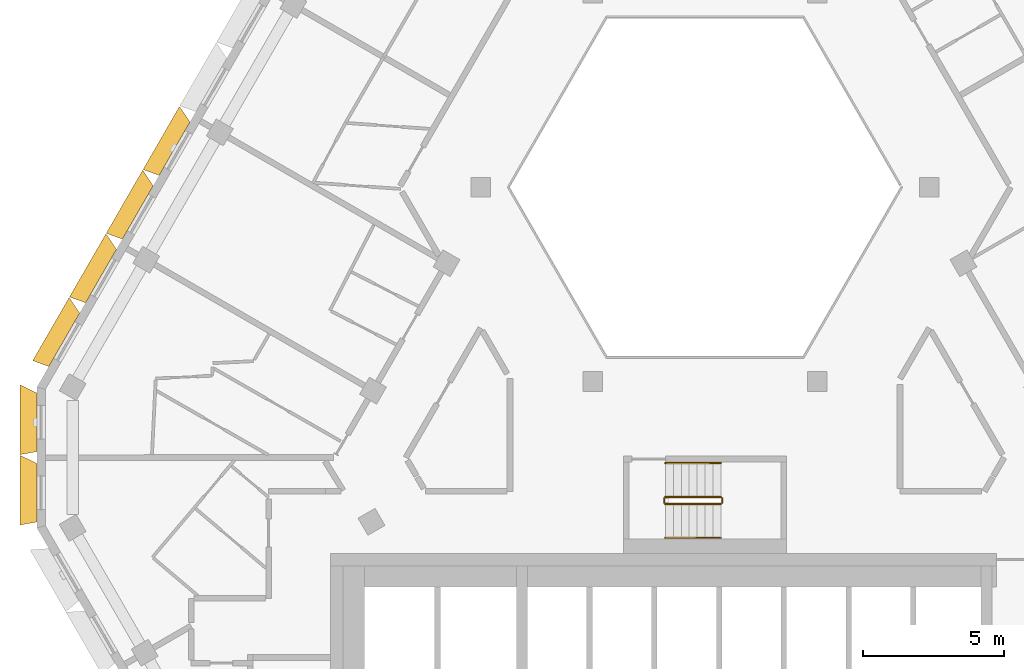
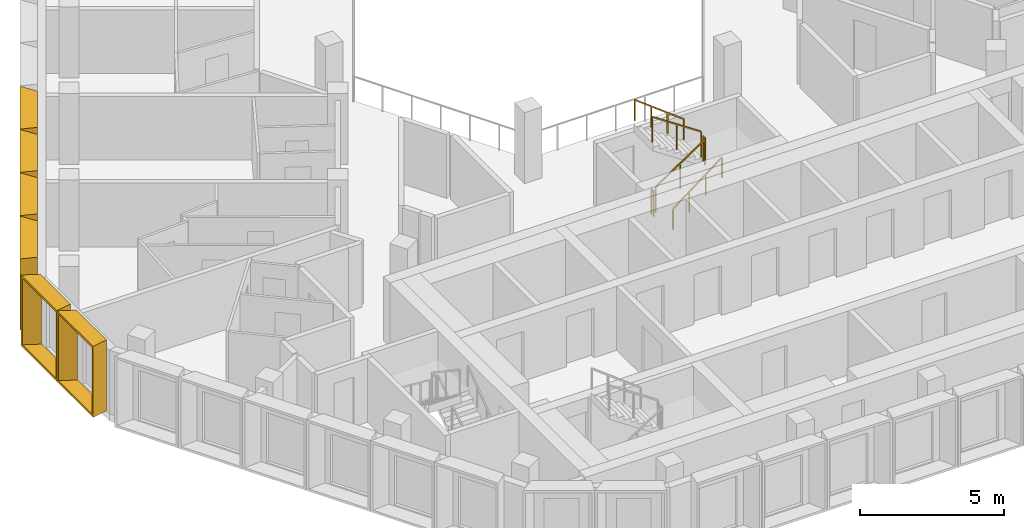
# One storey, part 13 of 16: 6 railings, 6 shading devices.
"""IFC4 building model written with IfcOpenShell, lengths in metres."""

from ifc_helpers import new_model, entity, si_unit, direction, frame, origin, origin_2d, place, context, subcontext, project, spatial, rectangle, extrude, source, transform, mapped, material, type_object, type_shapes, element, save


model = new_model("IFC4")

# Units and contexts
model_context = context("Model", 3, precision=1e-05, world=origin(), true_north=direction((0.0, 1.0)))
body_context = subcontext(model_context, "Body", "Model", "MODEL_VIEW")
ifc_project = project(units=[si_unit("LENGTHUNIT", "METRE"), si_unit("AREAUNIT", "SQUARE_METRE"), si_unit("VOLUMEUNIT", "CUBIC_METRE"), si_unit("PLANEANGLEUNIT", "RADIAN"), si_unit("MASSUNIT", "GRAM", prefix="KILO")], contexts=[model_context])

# Site, building, storey
site_placement = place(None, origin())
site = spatial("IfcSite", under=ifc_project, at=site_placement, CompositionType="ELEMENT")
building_placement = place(site_placement, origin())
building = spatial("IfcBuilding", under=site, at=building_placement, Name="Beryl Residences", CompositionType="ELEMENT")
storey_placement = place(building_placement, frame((0.0, 0.0, 208.800048828125)))
storey = spatial("IfcBuildingStorey", under=building, at=storey_placement, Name="L64", CompositionType="ELEMENT", Elevation=208.800048828125)

# Shading devices
ifc_material_1 = material(Name="Aluminium pale anodised", Category="aluminium")
shading_device_type_1 = type_object("IfcShadingDeviceType", Name="FR250-60B OUTER SKIN frame 600 mm deep, splay 26/10 deg, 2500 x 3000 mm cell", PredefinedType="USERDEFINED", material=ifc_material_1)
cartesian_point_1 = entity("IfcCartesianPoint", [-1.04052734375, 0.0])
cartesian_point_2 = entity("IfcCartesianPoint", [-0.951416015625, 0.10009765625])
cartesian_point_3 = entity("IfcCartesianPoint", [-1.333251953125, 0.0])
cartesian_point_4 = entity("IfcCartesianPoint", [-1.244140625, 0.10009765625])
shared_shape_1 = source(origin(), body_context, "Body", "SweptSolid", [
    entity("IfcExtrudedAreaSolidTapered", entity("IfcArbitraryProfileDefWithVoids", "AREA", None, entity("IfcPolyline", [cartesian_point_1, entity("IfcCartesianPoint", [1.04052734375, 0.0]), entity("IfcCartesianPoint", [1.04052734375, 3.0]), entity("IfcCartesianPoint", [-1.04052734375, 3.0]), cartesian_point_1]), [entity("IfcPolyline", [cartesian_point_2, entity("IfcCartesianPoint", [0.959228515625, 0.10009765625]), entity("IfcCartesianPoint", [0.959228515625, 2.89990234375]), entity("IfcCartesianPoint", [-0.951416015625, 2.89990234375]), cartesian_point_2])]), entity("IfcAxis2Placement3D", entity("IfcCartesianPoint", [0.0, 0.0, 0.0]), entity("IfcDirection", [0.0, 1.0, 0.0]), entity("IfcDirection", [-1.0, 0.0, 0.0])), entity("IfcDirection", [0.0, 0.0, 1.0]), 0.60009765625, entity("IfcArbitraryProfileDefWithVoids", "AREA", None, entity("IfcPolyline", [cartesian_point_3, entity("IfcCartesianPoint", [1.146240234375, 0.0]), entity("IfcCartesianPoint", [1.146240234375, 3.0]), entity("IfcCartesianPoint", [-1.333251953125, 3.0]), cartesian_point_3]), [entity("IfcPolyline", [cartesian_point_4, entity("IfcCartesianPoint", [1.06494140625, 0.10009765625]), entity("IfcCartesianPoint", [1.06494140625, 2.89990234375]), entity("IfcCartesianPoint", [-1.244140625, 2.89990234375]), cartesian_point_4])])),
])
type_shapes(shading_device_type_1, [shared_shape_1])
for number, where, z_axis, x_axis, name in (
    (1, (-23.72900390625, -0.35009765625, 0.0), (0.0, 0.0, 1.0), (0.0, 1.0, 0.0), "FR250-60B frame L64 NW-SW 1"),
    (2, (-23.72900390625, -2.85009765625, 0.0), (0.0, 0.0, 1.0), (0.0, 1.0, 0.0), "FR250-60B frame L64 NW-SW 2"),
):
    element("IfcShadingDevice", number, at=place(storey_placement, frame(where, z_axis=z_axis, x_axis=x_axis)), inside=storey, type_object=shading_device_type_1, Name=name, ObjectType="OUTER SKIN", PredefinedType="USERDEFINED", context=body_context, shape_type="MappedRepresentation", body=[
        mapped(shared_shape_1, transform((0.0, 0.0, 0.0))),
    ])
ifc_material_2 = material(Name="Aluminium pale anodised", Category="aluminium")
shading_device_type_2 = type_object("IfcShadingDeviceType", Name="FR261-60B OUTER SKIN frame 600 mm deep, splay 26/10 deg, 2610 x 3000 mm cell", PredefinedType="USERDEFINED", material=ifc_material_2)
cartesian_point_5 = entity("IfcCartesianPoint", [-1.095458984375, 0.0])
cartesian_point_6 = entity("IfcCartesianPoint", [-1.006591796875, 0.10009765625])
cartesian_point_7 = entity("IfcCartesianPoint", [-1.38818359375, 0.0])
cartesian_point_8 = entity("IfcCartesianPoint", [-1.299072265625, 0.10009765625])
shared_shape_2 = source(origin(), body_context, "Body", "SweptSolid", [
    entity("IfcExtrudedAreaSolidTapered", entity("IfcArbitraryProfileDefWithVoids", "AREA", None, entity("IfcPolyline", [cartesian_point_5, entity("IfcCartesianPoint", [1.095458984375, 0.0]), entity("IfcCartesianPoint", [1.095458984375, 3.0]), entity("IfcCartesianPoint", [-1.095458984375, 3.0]), cartesian_point_5]), [entity("IfcPolyline", [cartesian_point_6, entity("IfcCartesianPoint", [1.01416015625, 0.10009765625]), entity("IfcCartesianPoint", [1.01416015625, 2.89990234375]), entity("IfcCartesianPoint", [-1.006591796875, 2.89990234375]), cartesian_point_6])]), entity("IfcAxis2Placement3D", entity("IfcCartesianPoint", [0.0, 0.0, 0.0]), entity("IfcDirection", [0.0, 1.0, 0.0]), entity("IfcDirection", [-1.0, 0.0, 0.0])), entity("IfcDirection", [0.0, 0.0, 1.0]), 0.60009765625, entity("IfcArbitraryProfileDefWithVoids", "AREA", None, entity("IfcPolyline", [cartesian_point_7, entity("IfcCartesianPoint", [1.201416015625, 0.0]), entity("IfcCartesianPoint", [1.201416015625, 3.0]), entity("IfcCartesianPoint", [-1.38818359375, 3.0]), cartesian_point_7]), [entity("IfcPolyline", [cartesian_point_8, entity("IfcCartesianPoint", [1.1201171875, 0.10009765625]), entity("IfcCartesianPoint", [1.1201171875, 2.89990234375]), entity("IfcCartesianPoint", [-1.299072265625, 2.89990234375]), cartesian_point_8])])),
])
type_shapes(shading_device_type_2, [shared_shape_2])
for number, where, z_axis, x_axis, name in (
    (3, (-18.839111328125, 9.368896484375, 0.0), (0.0, 0.0, 1.0), (0.5, 0.866025403784, 0.0), "FR261-60B frame L64 NW 5"),
    (4, (-20.14501953125, 7.10595703125, 0.0), (0.0, 0.0, 1.0), (0.5, 0.866025403784, 0.0), "FR261-60B frame L64 NW 6"),
    (5, (-21.450927734375, 4.843994140625, 0.0), (0.0, 0.0, 1.0), (0.5, 0.866025403784, 0.0), "FR261-60B frame L64 NW 7"),
    (6, (-22.758056640625, 2.5810546875, 0.0), (0.0, 0.0, 1.0), (0.5, 0.866025403784, 0.0), "FR261-60B frame L64 NW 8"),
):
    element("IfcShadingDevice", number, at=place(storey_placement, frame(where, z_axis=z_axis, x_axis=x_axis)), inside=storey, type_object=shading_device_type_2, Name=name, ObjectType="OUTER SKIN", PredefinedType="USERDEFINED", context=body_context, shape_type="MappedRepresentation", body=[
        mapped(shared_shape_2, transform((0.0, 0.0, 0.0))),
    ])

# Railings
ifc_material_3 = material(Name="Stainless steel balustrade with glass infill", Category="steel")
railing_type_1 = type_object("IfcRailingType", Name="SG1 stair guard 1100 mm", PredefinedType="GUARDRAIL", material=ifc_material_3)
railing_1_placement = place(storey_placement, frame((-1.39990234375, -3.25, 0.1875)))
element("IfcRailing", 7, at=railing_1_placement, inside=storey, type_object=railing_type_1, Name="L64 ST-4 stair guard 1", PredefinedType="GUARDRAIL", context=body_context, shape_type="SweptSolid", body=[
    extrude(rectangle(XDim=0.048095703125, YDim=0.048095703125, at=origin_2d()), frame((0.0, 0.0, 1.076171875), z_axis=(0.830902050051, 0.0, 0.556418712142), x_axis=(0.0, 1.0, 0.0)), (0.0, 0.0, 1.0), 2.35888671875),
    extrude(rectangle(XDim=0.0419921875, YDim=0.0419921875, at=origin_2d()), origin(), (0.0, 0.0, 1.0), 1.052001953125),
    extrude(rectangle(XDim=0.0419921875, YDim=0.0419921875, at=origin_2d()), frame((0.97998046875, 0.0, 0.65625)), (0.0, 0.0, 1.0), 1.052001953125),
    extrude(rectangle(XDim=0.0419921875, YDim=0.0419921875, at=origin_2d()), frame((1.9599609375, 0.0, 1.3125)), (0.0, 0.0, 1.0), 1.052001953125),
])
railing_2_placement = place(storey_placement, frame((0.610107421875, -3.199951171875, 1.5)))
element("IfcRailing", 8, at=railing_2_placement, inside=storey, type_object=railing_type_1, Name="L64 ST-4 stair guard 2", PredefinedType="GUARDRAIL", context=body_context, shape_type="SweptSolid", body=[
    extrude(rectangle(XDim=0.048095703125, YDim=0.048095703125, at=origin_2d()), frame((0.0, 0.0, 1.076171875), z_axis=(0.0, 1.0, 0.0), x_axis=(-1.0, 0.0, 0.0)), (0.0, 0.0, 1.0), 0.14990234375),
    extrude(rectangle(XDim=0.0419921875, YDim=0.0419921875, at=origin_2d()), origin(), (0.0, 0.0, 1.0), 1.052001953125),
    extrude(rectangle(XDim=0.0419921875, YDim=0.0419921875, at=origin_2d()), frame((0.0, 0.14990234375, 0.0)), (0.0, 0.0, 1.0), 1.052001953125),
])
railing_3_placement = place(storey_placement, frame((0.56005859375, -3.0, 1.6875)))
element("IfcRailing", 9, at=railing_3_placement, inside=storey, type_object=railing_type_1, Name="L64 ST-4 stair guard 3", PredefinedType="GUARDRAIL", context=body_context, shape_type="SweptSolid", body=[
    extrude(rectangle(XDim=0.048095703125, YDim=0.048095703125, at=origin_2d()), frame((0.0, 0.0, 1.076171875), z_axis=(-0.830902050051, 0.0, 0.556418712142), x_axis=(0.0, -1.0, 0.0)), (0.0, 0.0, 1.0), 2.35888671875),
    extrude(rectangle(XDim=0.0419921875, YDim=0.0419921875, at=origin_2d()), origin(), (0.0, 0.0, 1.0), 1.052001953125),
    extrude(rectangle(XDim=0.0419921875, YDim=0.0419921875, at=origin_2d()), frame((-0.97998046875, 0.0, 0.65625)), (0.0, 0.0, 1.0), 1.052001953125),
    extrude(rectangle(XDim=0.0419921875, YDim=0.0419921875, at=origin_2d()), frame((-1.9599609375, 0.0, 1.3125)), (0.0, 0.0, 1.0), 1.052001953125),
])
railing_4_placement = place(storey_placement, frame((-1.449951171875, -3.199951171875, 0.0)))
element("IfcRailing", 10, at=railing_4_placement, inside=storey, type_object=railing_type_1, Name="L64 ST-4 stair guard 4", PredefinedType="GUARDRAIL", context=body_context, shape_type="SweptSolid", body=[
    extrude(rectangle(XDim=0.048095703125, YDim=0.048095703125, at=origin_2d()), frame((0.0, 0.0, 1.076171875), z_axis=(0.0, 1.0, 0.0), x_axis=(-1.0, 0.0, 0.0)), (0.0, 0.0, 1.0), 0.14990234375),
    extrude(rectangle(XDim=0.0419921875, YDim=0.0419921875, at=origin_2d()), origin(), (0.0, 0.0, 1.0), 1.052001953125),
    extrude(rectangle(XDim=0.0419921875, YDim=0.0419921875, at=origin_2d()), frame((0.0, 0.14990234375, 0.0)), (0.0, 0.0, 1.0), 1.052001953125),
])
ifc_material_4 = material(Name="Stainless steel handrail", Category="steel")
railing_type_2 = type_object("IfcRailingType", Name="SRL1 stair handrail 900 mm", PredefinedType="HANDRAIL", material=ifc_material_4)
railing_5_placement = place(storey_placement, frame((-1.39990234375, -4.449951171875, 0.1875)))
element("IfcRailing", 11, at=railing_5_placement, inside=storey, type_object=railing_type_2, Name="L64 ST-4 stair handrail 1", PredefinedType="HANDRAIL", context=body_context, shape_type="SweptSolid", body=[
    extrude(rectangle(XDim=0.048095703125, YDim=0.048095703125, at=origin_2d()), frame((0.0, 0.0, 0.8759765625), z_axis=(0.794121922505, 0.0, 0.607758481798), x_axis=(0.0, 1.0, 0.0)), (0.0, 0.0, 1.0), 2.468017578125),
    extrude(rectangle(XDim=0.0419921875, YDim=0.0419921875, at=origin_2d()), origin(), (0.0, 0.0, 1.0), 0.851806640625),
    extrude(rectangle(XDim=0.0419921875, YDim=0.0419921875, at=origin_2d()), frame((0.6533203125, 0.0, 0.5)), (0.0, 0.0, 1.0), 0.851806640625),
    extrude(rectangle(XDim=0.0419921875, YDim=0.0419921875, at=origin_2d()), frame((1.306640625, 0.0, 1.0)), (0.0, 0.0, 1.0), 0.851806640625),
    extrude(rectangle(XDim=0.0419921875, YDim=0.0419921875, at=origin_2d()), frame((1.9599609375, 0.0, 1.5)), (0.0, 0.0, 1.0), 0.851806640625),
])
railing_6_placement = place(storey_placement, frame((0.56005859375, -1.800048828125, 1.6875)))
element("IfcRailing", 12, at=railing_6_placement, inside=storey, type_object=railing_type_2, Name="L64 ST-4 stair handrail 2", PredefinedType="HANDRAIL", context=body_context, shape_type="SweptSolid", body=[
    extrude(rectangle(XDim=0.048095703125, YDim=0.048095703125, at=origin_2d()), frame((0.0, 0.0, 0.8759765625), z_axis=(-0.794121922505, 0.0, 0.607758481798), x_axis=(0.0, -1.0, 0.0)), (0.0, 0.0, 1.0), 2.468017578125),
    extrude(rectangle(XDim=0.0419921875, YDim=0.0419921875, at=origin_2d()), origin(), (0.0, 0.0, 1.0), 0.851806640625),
    extrude(rectangle(XDim=0.0419921875, YDim=0.0419921875, at=origin_2d()), frame((-0.6533203125, 0.0, 0.5)), (0.0, 0.0, 1.0), 0.851806640625),
    extrude(rectangle(XDim=0.0419921875, YDim=0.0419921875, at=origin_2d()), frame((-1.306640625, 0.0, 1.0)), (0.0, 0.0, 1.0), 0.851806640625),
    extrude(rectangle(XDim=0.0419921875, YDim=0.0419921875, at=origin_2d()), frame((-1.9599609375, 0.0, 1.5)), (0.0, 0.0, 1.0), 0.851806640625),
])

save(model, "model.ifc")
